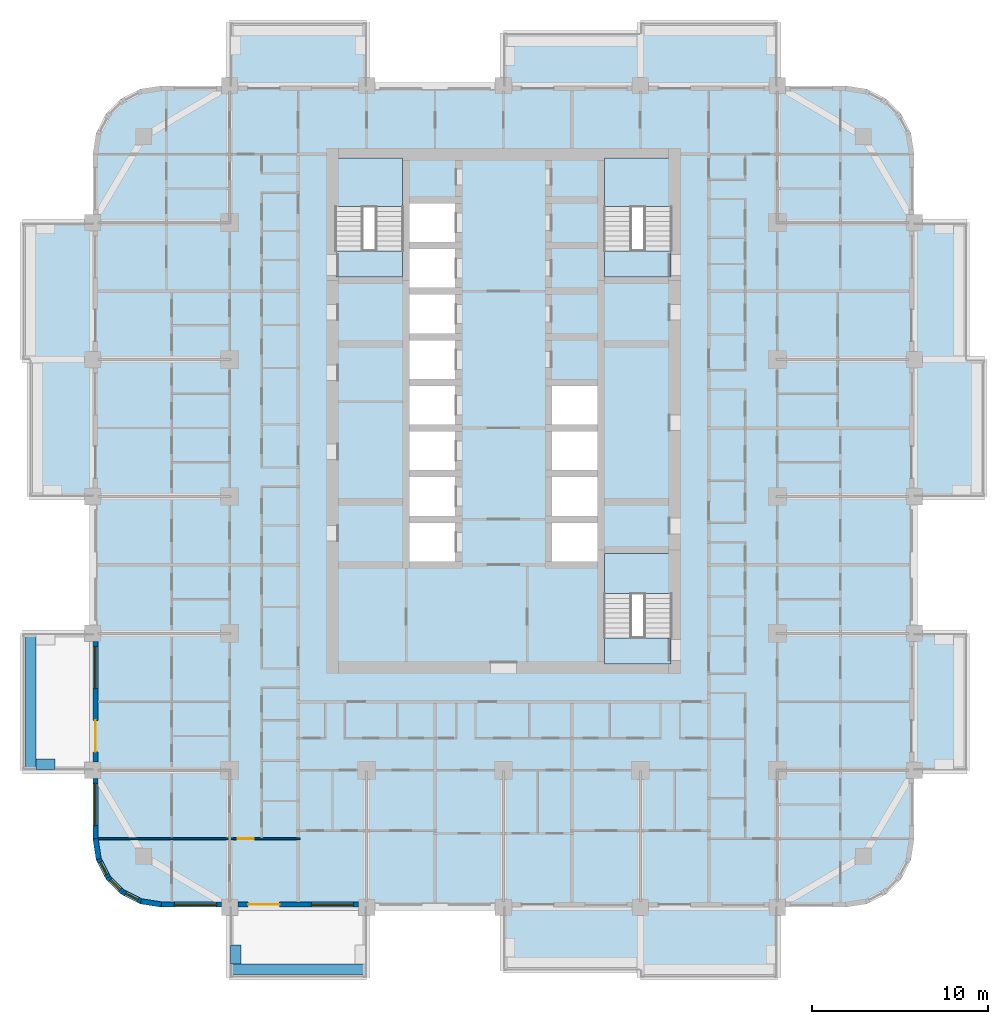
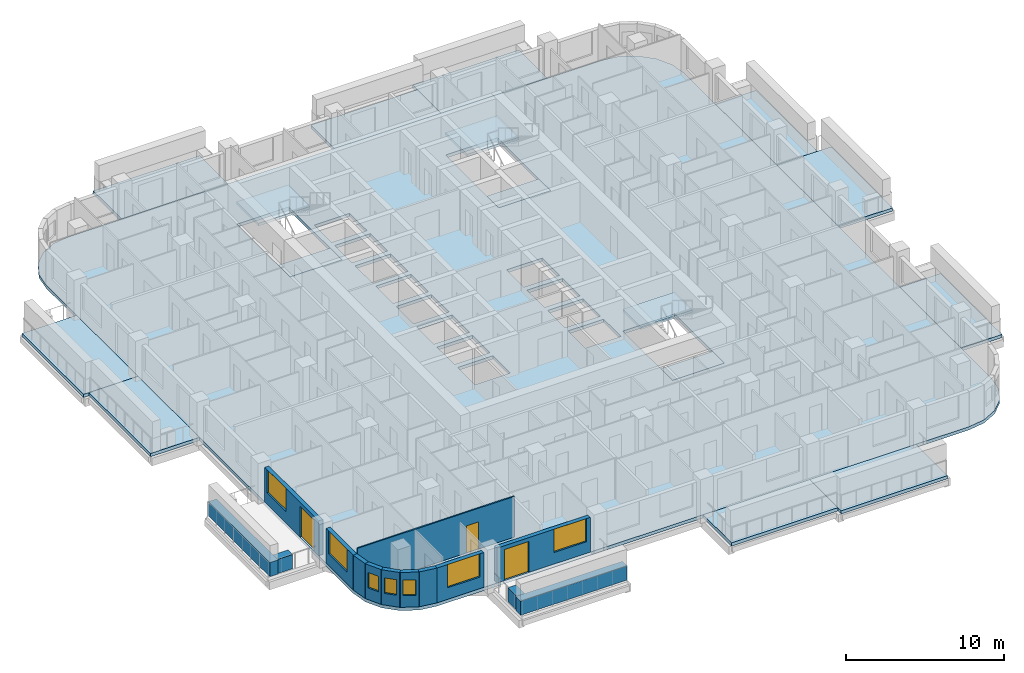
# One storey, part 2 of 18: 17 slabs, 14 walls, 7 windows, 3 doors, 10 openings, 3 elements without a shape of their own.
"""IFC4 building model written with IfcOpenShell, lengths in metres."""

from ifc_helpers import new_model, si_unit, direction, frame, frame_2d, origin, place, context, subcontext, project, spatial, polyline, rectangle, outline, extrude, material, layer, layer_set, type_object, element, fill, aggregate, save


model = new_model("IFC4")

# Units and contexts
model_context = context("Model", 3, precision=1e-05, world=origin(), true_north=direction((0.0, 1.0)))
body_context = subcontext(model_context, "Body", "Model", "MODEL_VIEW")
ifc_project = project(units=[si_unit("LENGTHUNIT", "METRE"), si_unit("AREAUNIT", "SQUARE_METRE"), si_unit("VOLUMEUNIT", "CUBIC_METRE"), si_unit("PLANEANGLEUNIT", "RADIAN"), si_unit("MASSUNIT", "GRAM", prefix="KILO")], contexts=[model_context])

# Site, building, storey
site_placement = place(None, origin())
site = spatial("IfcSite", under=ifc_project, at=site_placement, CompositionType="ELEMENT")
building_placement = place(site_placement, origin())
building = spatial("IfcBuilding", under=site, at=building_placement, Name="Ludao Terraces", CompositionType="ELEMENT")
storey_placement = place(building_placement, frame((0.0, 0.0, 78.39990234375)))
storey = spatial("IfcBuildingStorey", under=building, at=storey_placement, Name="L21", CompositionType="ELEMENT", Elevation=78.39990234375)

# Slabs
ifc_material_1 = material(Name="Concrete C40", Category="concrete")
ifc_layer_1 = layer(ifc_material_1, 0.25)
ifc_layer_set_1 = layer_set([ifc_layer_1], Name="Balcony slab 250 C40")
slab_type_1 = type_object("IfcSlabType", Name="Balcony slab 250 C40", PredefinedType="USERDEFINED", material=ifc_layer_set_1)
slab_1_placement = place(storey_placement, frame((0.0, 0.0, -0.25)))
element("IfcSlab", 1, at=slab_1_placement, inside=storey, type_object=slab_type_1, Name="Balcony L21 S3", ObjectType="BALCONY", PredefinedType="USERDEFINED", context=body_context, shape_type="SweptSolid", body=[
    extrude(outline(polyline([(85.0, 38.0), (92.800048828125, 38.0), (92.800048828125, 41.60009765625), (85.0, 41.60009765625), (85.0, 38.0)])), origin(), (0.0, 0.0, 1.0), 0.25),
])
slab_2_placement = place(storey_placement, frame((0.0, 0.0, -0.25)))
element("IfcSlab", 2, at=slab_2_placement, inside=storey, type_object=slab_type_1, Name="Balcony L21 S4", ObjectType="BALCONY", PredefinedType="USERDEFINED", context=body_context, shape_type="SweptSolid", body=[
    extrude(outline(polyline([(92.800048828125, 37.60009765625), (100.60009765625, 37.60009765625), (100.60009765625, 41.60009765625), (92.800048828125, 41.60009765625), (92.800048828125, 37.60009765625)])), origin(), (0.0, 0.0, 1.0), 0.25),
])
slab_3_placement = place(storey_placement, frame((0.0, 0.0, -0.25)))
element("IfcSlab", 3, at=slab_3_placement, inside=storey, type_object=slab_type_1, Name="Balcony L21 E1", ObjectType="BALCONY", PredefinedType="USERDEFINED", context=body_context, shape_type="SweptSolid", body=[
    extrude(outline(polyline([(108.39990234375, 49.39990234375), (111.39990234375, 49.39990234375), (111.39990234375, 57.199951171875), (108.39990234375, 57.199951171875), (108.39990234375, 49.39990234375)])), origin(), (0.0, 0.0, 1.0), 0.25),
])
slab_4_placement = place(storey_placement, frame((0.0, 0.0, -0.25)))
element("IfcSlab", 4, at=slab_4_placement, inside=storey, type_object=slab_type_1, Name="Balcony L21 E3", ObjectType="BALCONY", PredefinedType="USERDEFINED", context=body_context, shape_type="SweptSolid", body=[
    extrude(outline(polyline([(108.39990234375, 65.0), (112.39990234375, 65.0), (112.39990234375, 72.800048828125), (108.39990234375, 72.800048828125), (108.39990234375, 65.0)])), origin(), (0.0, 0.0, 1.0), 0.25),
])
slab_5_placement = place(storey_placement, frame((0.0, 0.0, -0.25)))
element("IfcSlab", 5, at=slab_5_placement, inside=storey, type_object=slab_type_1, Name="Balcony L21 E4", ObjectType="BALCONY", PredefinedType="USERDEFINED", context=body_context, shape_type="SweptSolid", body=[
    extrude(outline(polyline([(108.39990234375, 72.800048828125), (111.39990234375, 72.800048828125), (111.39990234375, 80.60009765625), (108.39990234375, 80.60009765625), (108.39990234375, 72.800048828125)])), origin(), (0.0, 0.0, 1.0), 0.25),
])
slab_6_placement = place(storey_placement, frame((0.0, 0.0, -0.25)))
element("IfcSlab", 6, at=slab_6_placement, inside=storey, type_object=slab_type_1, Name="Balcony L21 N1", ObjectType="BALCONY", PredefinedType="USERDEFINED", context=body_context, shape_type="SweptSolid", body=[
    extrude(outline(polyline([(69.39990234375, 88.39990234375), (77.199951171875, 88.39990234375), (77.199951171875, 92.0), (69.39990234375, 92.0), (69.39990234375, 88.39990234375)])), origin(), (0.0, 0.0, 1.0), 0.25),
])
slab_7_placement = place(storey_placement, frame((0.0, 0.0, -0.25)))
element("IfcSlab", 7, at=slab_7_placement, inside=storey, type_object=slab_type_1, Name="Balcony L21 N3", ObjectType="BALCONY", PredefinedType="USERDEFINED", context=body_context, shape_type="SweptSolid", body=[
    extrude(outline(polyline([(85.0, 88.39990234375), (92.800048828125, 88.39990234375), (92.800048828125, 91.39990234375), (85.0, 91.39990234375), (85.0, 88.39990234375)])), origin(), (0.0, 0.0, 1.0), 0.25),
])
slab_8_placement = place(storey_placement, frame((0.0, 0.0, -0.25)))
element("IfcSlab", 8, at=slab_8_placement, inside=storey, type_object=slab_type_1, Name="Balcony L21 N4", ObjectType="BALCONY", PredefinedType="USERDEFINED", context=body_context, shape_type="SweptSolid", body=[
    extrude(outline(polyline([(92.800048828125, 88.39990234375), (100.60009765625, 88.39990234375), (100.60009765625, 92.0), (92.800048828125, 92.0), (92.800048828125, 88.39990234375)])), origin(), (0.0, 0.0, 1.0), 0.25),
])
slab_9_placement = place(storey_placement, frame((0.0, 0.0, -0.25)))
element("IfcSlab", 9, at=slab_9_placement, inside=storey, type_object=slab_type_1, Name="Balcony L21 W3", ObjectType="BALCONY", PredefinedType="USERDEFINED", context=body_context, shape_type="SweptSolid", body=[
    extrude(outline(polyline([(58.0, 65.0), (61.60009765625, 65.0), (61.60009765625, 72.800048828125), (58.0, 72.800048828125), (58.0, 65.0)])), origin(), (0.0, 0.0, 1.0), 0.25),
])
slab_10_placement = place(storey_placement, frame((0.0, 0.0, -0.25)))
element("IfcSlab", 10, at=slab_10_placement, inside=storey, type_object=slab_type_1, Name="Balcony L21 W4", ObjectType="BALCONY", PredefinedType="USERDEFINED", context=body_context, shape_type="SweptSolid", body=[
    extrude(outline(polyline([(57.60009765625, 72.800048828125), (61.60009765625, 72.800048828125), (61.60009765625, 80.60009765625), (57.60009765625, 80.60009765625), (57.60009765625, 72.800048828125)])), origin(), (0.0, 0.0, 1.0), 0.25),
])
ifc_layer_2 = layer(ifc_material_1, 0.25)
ifc_layer_set_2 = layer_set([ifc_layer_2], Name="Floor slab 250 C40")
slab_type_2 = type_object("IfcSlabType", Name="Floor slab 250 C40", PredefinedType="FLOOR", material=ifc_layer_set_2)
slab_11_placement = place(storey_placement, frame((0.0, 0.0, -0.25)))
element("IfcSlab", 11, at=slab_11_placement, inside=storey, type_object=slab_type_2, Name="Slab L21", PredefinedType="FLOOR", context=body_context, shape_type="SweptSolid", body=[
    extrude(outline(polyline([(104.5, 41.60009765625), (105.705078125, 41.790771484375), (106.79248046875, 42.3447265625), (107.6552734375, 43.20751953125), (108.209228515625, 44.294921875), (108.39990234375, 45.5), (108.39990234375, 84.5), (108.209228515625, 85.705078125), (107.6552734375, 86.79248046875), (106.79248046875, 87.6552734375), (105.705078125, 88.209228515625), (104.5, 88.39990234375), (65.5, 88.39990234375), (64.294921875, 88.209228515625), (63.20751953125, 87.6552734375), (62.3447265625, 86.79248046875), (61.790771484375, 85.705078125), (61.60009765625, 84.5), (61.60009765625, 45.5), (61.790771484375, 44.294921875), (62.3447265625, 43.20751953125), (63.20751953125, 42.3447265625), (64.294921875, 41.790771484375), (65.5, 41.60009765625), (104.5, 41.60009765625)]), holes=[polyline([(79.64990234375, 61.300048828125), (82.25, 61.300048828125), (82.25, 63.5), (79.64990234375, 63.5), (79.64990234375, 61.300048828125)]), polyline([(79.64990234375, 63.89990234375), (82.25, 63.89990234375), (82.25, 66.10009765625), (79.64990234375, 66.10009765625), (79.64990234375, 63.89990234375)]), polyline([(79.64990234375, 66.5), (82.25, 66.5), (82.25, 68.699951171875), (79.64990234375, 68.699951171875), (79.64990234375, 66.5)]), polyline([(79.64990234375, 69.10009765625), (82.25, 69.10009765625), (82.25, 71.300048828125), (79.64990234375, 71.300048828125), (79.64990234375, 69.10009765625)]), polyline([(79.64990234375, 71.699951171875), (82.25, 71.699951171875), (82.25, 73.89990234375), (79.64990234375, 73.89990234375), (79.64990234375, 71.699951171875)]), polyline([(79.64990234375, 74.300048828125), (82.25, 74.300048828125), (82.25, 76.5), (79.64990234375, 76.5), (79.64990234375, 74.300048828125)]), polyline([(79.64990234375, 76.89990234375), (82.25, 76.89990234375), (82.25, 79.10009765625), (79.64990234375, 79.10009765625), (79.64990234375, 76.89990234375)]), polyline([(79.64990234375, 79.5), (82.25, 79.5), (82.25, 81.699951171875), (79.64990234375, 81.699951171875), (79.64990234375, 79.5)]), polyline([(87.75, 61.300048828125), (90.35009765625, 61.300048828125), (90.35009765625, 63.5), (87.75, 63.5), (87.75, 61.300048828125)]), polyline([(87.75, 63.89990234375), (90.35009765625, 63.89990234375), (90.35009765625, 66.10009765625), (87.75, 66.10009765625), (87.75, 63.89990234375)]), polyline([(87.75, 66.5), (90.35009765625, 66.5), (90.35009765625, 68.699951171875), (87.75, 68.699951171875), (87.75, 66.5)]), polyline([(87.75, 69.10009765625), (90.35009765625, 69.10009765625), (90.35009765625, 71.300048828125), (87.75, 71.300048828125), (87.75, 69.10009765625)]), polyline([(75.449951171875, 77.5), (79.25, 77.5), (79.25, 84.239990234375), (75.449951171875, 84.239990234375), (75.449951171875, 77.5)]), polyline([(90.75, 77.5), (94.550048828125, 77.5), (94.550048828125, 84.239990234375), (90.75, 84.239990234375), (90.75, 77.5)]), polyline([(90.75, 55.449951171875), (94.550048828125, 55.449951171875), (94.550048828125, 61.75), (90.75, 61.75), (90.75, 55.449951171875)])]), origin(), (0.0, 0.0, 1.0), 0.25),
])

# Stair, slabs
stair_type = type_object("IfcStairType", Name="INT Stair", PredefinedType="HALF_TURN_STAIR", material=ifc_material_1)
stair_1_placement = place(storey_placement, origin())
stair_1 = element("IfcStair", 12, at=stair_1_placement, inside=storey, type_object=stair_type, Name="EXIT STAIR 1", PredefinedType="HALF_TURN_STAIR")
ifc_layer_3 = layer(ifc_material_1, 0.199951171875)
ifc_layer_set_3 = layer_set([ifc_layer_3], Name="INT Stair landing 200")
slab_type_3 = type_object("IfcSlabType", Name="INT Stair landing 200", PredefinedType="LANDING", material=ifc_layer_set_3)
slab_12_placement = place(storey_placement, frame((0.0, 0.0, 1.5)))
slab_12 = element("IfcSlab", 13, at=slab_12_placement, type_object=slab_type_3, Name="ST1 landing 1", PredefinedType="LANDING", context=body_context, shape_type="SweptSolid", body=[
    extrude(outline(polyline([(75.449951171875, 81.52001953125), (79.25, 81.52001953125), (79.25, 84.300048828125), (75.449951171875, 84.300048828125), (75.449951171875, 81.52001953125)])), origin(), (0.0, 0.0, 1.0), 0.2001953125),
])
slab_13_placement = place(storey_placement, frame((0.0, 0.0, -0.199951171875)))
slab_13 = element("IfcSlab", 14, at=slab_13_placement, type_object=slab_type_3, Name="ST1 landing 2", PredefinedType="LANDING", context=body_context, shape_type="SweptSolid", body=[
    extrude(outline(polyline([(75.449951171875, 77.5), (79.25, 77.5), (79.25, 79.0), (75.449951171875, 79.0), (75.449951171875, 77.5)])), origin(), (0.0, 0.0, 1.0), 0.199951171875),
])
aggregate(stair_1, [slab_12, slab_13])

stair_2_placement = place(storey_placement, origin())
stair_2 = element("IfcStair", 15, at=stair_2_placement, inside=storey, type_object=stair_type, Name="EXIT STAIR 2", PredefinedType="HALF_TURN_STAIR")
slab_14_placement = place(storey_placement, frame((0.0, 0.0, 1.5)))
slab_14 = element("IfcSlab", 16, at=slab_14_placement, type_object=slab_type_3, Name="ST2 landing 1", PredefinedType="LANDING", context=body_context, shape_type="SweptSolid", body=[
    extrude(outline(polyline([(90.75, 81.52001953125), (94.550048828125, 81.52001953125), (94.550048828125, 84.300048828125), (90.75, 84.300048828125), (90.75, 81.52001953125)])), origin(), (0.0, 0.0, 1.0), 0.2001953125),
])
slab_15_placement = place(storey_placement, frame((0.0, 0.0, -0.199951171875)))
slab_15 = element("IfcSlab", 17, at=slab_15_placement, type_object=slab_type_3, Name="ST2 landing 2", PredefinedType="LANDING", context=body_context, shape_type="SweptSolid", body=[
    extrude(outline(polyline([(90.75, 77.5), (94.550048828125, 77.5), (94.550048828125, 79.0), (90.75, 79.0), (90.75, 77.5)])), origin(), (0.0, 0.0, 1.0), 0.199951171875),
])
aggregate(stair_2, [slab_14, slab_15])

stair_3_placement = place(storey_placement, origin())
stair_3 = element("IfcStair", 18, at=stair_3_placement, inside=storey, type_object=stair_type, Name="EXIT STAIR 3", PredefinedType="HALF_TURN_STAIR")
slab_16_placement = place(storey_placement, frame((0.0, 0.0, 1.5)))
slab_16 = element("IfcSlab", 19, at=slab_16_placement, type_object=slab_type_3, Name="ST3 landing 1", PredefinedType="LANDING", context=body_context, shape_type="SweptSolid", body=[
    extrude(outline(polyline([(90.75, 59.469970703125), (94.550048828125, 59.469970703125), (94.550048828125, 61.75), (90.75, 61.75), (90.75, 59.469970703125)])), origin(), (0.0, 0.0, 1.0), 0.2001953125),
])
slab_17_placement = place(storey_placement, frame((0.0, 0.0, -0.199951171875)))
slab_17 = element("IfcSlab", 20, at=slab_17_placement, type_object=slab_type_3, Name="ST3 landing 2", PredefinedType="LANDING", context=body_context, shape_type="SweptSolid", body=[
    extrude(outline(polyline([(90.75, 55.449951171875), (94.550048828125, 55.449951171875), (94.550048828125, 56.949951171875), (90.75, 56.949951171875), (90.75, 55.449951171875)])), origin(), (0.0, 0.0, 1.0), 0.199951171875),
])
aggregate(stair_3, [slab_16, slab_17])

# Walls
ifc_layer_4 = layer(ifc_material_1, 0.60009765625)
ifc_layer_set_4 = layer_set([ifc_layer_4], Name="ENV Planter trough 600")
wall_type_1 = type_object("IfcWallType", Name="ENV Planter trough 600", PredefinedType="USERDEFINED", material=ifc_layer_set_4)
wall_1_placement = place(storey_placement, frame((69.39990234375, 38.050048828125, 0.0), z_axis=(0.0, 0.0, 1.0), x_axis=(1.0, 0.0, 0.0)))
element("IfcWall", 21, at=wall_1_placement, inside=storey, type_object=wall_type_1, Name="PL-L21-S1", ObjectType="PLANTER", PredefinedType="USERDEFINED", context=body_context, shape_type="SweptSolid", body=[
    extrude(rectangle(XDim=7.800048828125, YDim=0.60009765625, at=frame_2d((3.89990234375, 0.0))), origin(), (0.0, 0.0, 1.0), 1.10009765625),
])
wall_2_placement = place(storey_placement, frame((69.75, 38.35009765625, 0.0), z_axis=(0.0, 0.0, 1.0), x_axis=(0.0, 1.0, 0.0)))
element("IfcWall", 22, at=wall_2_placement, inside=storey, type_object=wall_type_1, Name="PL-L21-S1-SA", ObjectType="PLANTER", PredefinedType="USERDEFINED", context=body_context, shape_type="SweptSolid", body=[
    extrude(rectangle(XDim=1.099853515625, YDim=0.60009765625, at=frame_2d((0.5498046875, 0.0))), origin(), (0.0, 0.0, 1.0), 1.10009765625),
])
wall_3_placement = place(storey_placement, frame((58.050048828125, 49.39990234375, 0.0), z_axis=(0.0, 0.0, 1.0), x_axis=(0.0, 1.0, 0.0)))
element("IfcWall", 23, at=wall_3_placement, inside=storey, type_object=wall_type_1, Name="PL-L21-W1", ObjectType="PLANTER", PredefinedType="USERDEFINED", context=body_context, shape_type="SweptSolid", body=[
    extrude(rectangle(XDim=7.800048828125, YDim=0.60009765625, at=frame_2d((3.89990234375, 0.0))), origin(), (0.0, 0.0, 1.0), 1.10009765625),
])
wall_4_placement = place(storey_placement, frame((58.35009765625, 49.75, 0.0), z_axis=(0.0, 0.0, 1.0), x_axis=(1.0, 0.0, 0.0)))
element("IfcWall", 24, at=wall_4_placement, inside=storey, type_object=wall_type_1, Name="PL-L21-W1-SA", ObjectType="PLANTER", PredefinedType="USERDEFINED", context=body_context, shape_type="SweptSolid", body=[
    extrude(rectangle(XDim=1.099853515625, YDim=0.60009765625, at=frame_2d((0.5498046875, 0.0))), origin(), (0.0, 0.0, 1.0), 1.10009765625),
])

# Wall, opening, window
ifc_material_2 = material(Name="Granite cladding", Category="masonry")
ifc_layer_5 = layer(ifc_material_2, 0.0400390625, Category="stone")
ifc_material_3 = material(Name="Mineral wool")
ifc_layer_6 = layer(ifc_material_3, 0.06005859375)
ifc_layer_7 = layer(ifc_material_1, 0.199951171875, Category="concrete")
ifc_layer_set_5 = layer_set([ifc_layer_5, ifc_layer_6, ifc_layer_7], Name="ENV Stone-clad wall 300")
wall_type_2 = type_object("IfcWallType", Name="ENV Stone-clad wall 300", PredefinedType="SOLIDWALL", material=ifc_layer_set_5)
wall_5_placement = place(storey_placement, frame((65.5, 41.75, 0.0), z_axis=(0.0, 0.0, 1.0), x_axis=(1.0, 0.0, 0.0)))
wall_5 = element("IfcWall", 25, at=wall_5_placement, inside=storey, type_object=wall_type_2, Name="EW-L21-S1", PredefinedType="SOLIDWALL", context=body_context, shape_type="SweptSolid", body=[
    extrude(rectangle(XDim=3.425048828125, YDim=0.300048828125, at=frame_2d((1.71240234375, 0.0))), origin(), (0.0, 0.0, 1.0), 2.7001953125),
])
opening_1_placement = place(wall_5_placement, frame((0.75, 0.0, 0.89990234375)))
opening_1 = element("IfcOpeningElement", 26, at=opening_1_placement, cuts=wall_5, Name="Opening W1", PredefinedType="OPENING", context=body_context, shape_type="SweptSolid", body=[
    extrude(rectangle(XDim=2.39990234375, YDim=1.800048828125, at=frame_2d((1.199951171875, 0.89990234375))), frame((0.0, 0.16015625, 0.0), z_axis=(0.0, -1.0, 0.0), x_axis=(1.0, 0.0, 0.0)), (0.0, 0.0, 1.0), 0.320068359375),
])
ifc_material_4 = material(Name="Clear glass in aluminium frame", Category="aluminium")
ifc_layer_8 = layer(ifc_material_4, 0.06005859375)
ifc_layer_set_6 = layer_set([ifc_layer_8], Name="ENV Window W1 2400x1800")
window_type_1 = type_object("IfcWindowType", Name="ENV Window W1 2400x1800", PartitioningType="DOUBLE_PANEL_VERTICAL", PredefinedType="WINDOW", material=ifc_layer_set_6)
window_1_placement = place(opening_1_placement, origin())
window_1 = element("IfcWindow", 27, at=window_1_placement, inside=storey, type_object=window_type_1, Name="W-L21-S1-1", OverallHeight=1.800048828125, OverallWidth=2.39990234375, PartitioningType="DOUBLE_PANEL_VERTICAL", PredefinedType="WINDOW", context=body_context, shape_type="SweptSolid", body=[
    extrude(rectangle(XDim=2.39990234375, YDim=1.800048828125, at=frame_2d((1.199951171875, 0.89990234375))), frame((0.0, 0.030029296875, 0.0), z_axis=(0.0, -1.0, 0.0), x_axis=(1.0, 0.0, 0.0)), (0.0, 0.0, 1.0), 0.06005859375),
])
fill(opening_1, window_1)

# Wall, openings, door, window
wall_6_placement = place(storey_placement, frame((69.875, 41.75, 0.0), z_axis=(0.0, 0.0, 1.0), x_axis=(1.0, 0.0, 0.0)))
wall_6 = element("IfcWall", 28, at=wall_6_placement, inside=storey, type_object=wall_type_2, Name="EW-L21-S2", PredefinedType="SOLIDWALL", context=body_context, shape_type="SweptSolid", body=[
    extrude(rectangle(XDim=6.85009765625, YDim=0.300048828125, at=frame_2d((3.425048828125, 0.0))), origin(), (0.0, 0.0, 1.0), 2.7001953125),
])
opening_2_placement = place(wall_6_placement, frame((0.574951171875, 0.0, 0.0)))
opening_2 = element("IfcOpeningElement", 29, at=opening_2_placement, cuts=wall_6, Name="Opening BD", PredefinedType="OPENING", context=body_context, shape_type="SweptSolid", body=[
    extrude(rectangle(XDim=1.800048828125, YDim=2.39990234375, at=frame_2d((0.89990234375, 1.199951171875))), frame((0.0, 0.16015625, 0.0), z_axis=(0.0, -1.0, 0.0), x_axis=(1.0, 0.0, 0.0)), (0.0, 0.0, 1.0), 0.320068359375),
])
opening_3_placement = place(wall_6_placement, frame((4.175048828125, 0.0, 0.89990234375)))
opening_3 = element("IfcOpeningElement", 30, at=opening_3_placement, cuts=wall_6, Name="Opening W1", PredefinedType="OPENING", context=body_context, shape_type="SweptSolid", body=[
    extrude(rectangle(XDim=2.39990234375, YDim=1.800048828125, at=frame_2d((1.199951171875, 0.89990234375))), frame((0.0, 0.16015625, 0.0), z_axis=(0.0, -1.0, 0.0), x_axis=(1.0, 0.0, 0.0)), (0.0, 0.0, 1.0), 0.320068359375),
])
ifc_material_5 = material(Name="Aluminium glazed door", Category="aluminium")
ifc_layer_9 = layer(ifc_material_5, 0.06005859375)
ifc_layer_set_7 = layer_set([ifc_layer_9], Name="ENV Balcony door BD 1800x2400")
door_type_1 = type_object("IfcDoorType", Name="ENV Balcony door BD 1800x2400", OperationType="DOUBLE_DOOR_SINGLE_SWING", PredefinedType="DOOR", material=ifc_layer_set_7)
door_1_placement = place(opening_2_placement, origin())
door_1 = element("IfcDoor", 31, at=door_1_placement, inside=storey, type_object=door_type_1, Name="BD-L21-S2-1", OperationType="DOUBLE_DOOR_SINGLE_SWING", OverallHeight=2.39990234375, OverallWidth=1.800048828125, PredefinedType="DOOR", context=body_context, shape_type="SweptSolid", body=[
    extrude(rectangle(XDim=1.800048828125, YDim=2.39990234375, at=frame_2d((0.89990234375, 1.199951171875))), frame((0.0, 0.02490234375, 0.0), z_axis=(0.0, -1.0, 0.0), x_axis=(1.0, 0.0, 0.0)), (0.0, 0.0, 1.0), 0.050048828125),
])
fill(opening_2, door_1)
window_2_placement = place(opening_3_placement, origin())
window_2 = element("IfcWindow", 32, at=window_2_placement, inside=storey, type_object=window_type_1, Name="W-L21-S2-2", OverallHeight=1.800048828125, OverallWidth=2.39990234375, PartitioningType="DOUBLE_PANEL_VERTICAL", PredefinedType="WINDOW", context=body_context, shape_type="SweptSolid", body=[
    extrude(rectangle(XDim=2.39990234375, YDim=1.800048828125, at=frame_2d((1.199951171875, 0.89990234375))), frame((0.0, 0.030029296875, 0.0), z_axis=(0.0, -1.0, 0.0), x_axis=(1.0, 0.0, 0.0)), (0.0, 0.0, 1.0), 0.06005859375),
])
fill(opening_3, window_2)

# Wall, opening, window
wall_7_placement = place(storey_placement, frame((61.75, 45.5, 0.0), z_axis=(0.0, 0.0, 1.0), x_axis=(0.0, 1.0, 0.0)))
wall_7 = element("IfcWall", 33, at=wall_7_placement, inside=storey, type_object=wall_type_2, Name="EW-L21-W1", PredefinedType="SOLIDWALL", context=body_context, shape_type="SweptSolid", body=[
    extrude(rectangle(XDim=3.425048828125, YDim=0.300048828125, at=frame_2d((1.71240234375, 0.0))), origin(), (0.0, 0.0, 1.0), 2.7001953125),
])
opening_4_placement = place(wall_7_placement, frame((0.75, 0.0, 0.89990234375)))
opening_4 = element("IfcOpeningElement", 34, at=opening_4_placement, cuts=wall_7, Name="Opening W1", PredefinedType="OPENING", context=body_context, shape_type="SweptSolid", body=[
    extrude(rectangle(XDim=2.39990234375, YDim=1.800048828125, at=frame_2d((1.199951171875, 0.89990234375))), frame((0.0, 0.16015625, 0.0), z_axis=(0.0, -1.0, 0.0), x_axis=(1.0, 0.0, 0.0)), (0.0, 0.0, 1.0), 0.320068359375),
])
window_3_placement = place(opening_4_placement, origin())
window_3 = element("IfcWindow", 35, at=window_3_placement, inside=storey, type_object=window_type_1, Name="W-L21-W1-1", OverallHeight=1.800048828125, OverallWidth=2.39990234375, PartitioningType="DOUBLE_PANEL_VERTICAL", PredefinedType="WINDOW", context=body_context, shape_type="SweptSolid", body=[
    extrude(rectangle(XDim=2.39990234375, YDim=1.800048828125, at=frame_2d((1.199951171875, 0.89990234375))), frame((0.0, 0.030029296875, 0.0), z_axis=(0.0, -1.0, 0.0), x_axis=(1.0, 0.0, 0.0)), (0.0, 0.0, 1.0), 0.06005859375),
])
fill(opening_4, window_3)

# Wall, openings, door, window
wall_8_placement = place(storey_placement, frame((61.75, 49.875, 0.0), z_axis=(0.0, 0.0, 1.0), x_axis=(0.0, 1.0, 0.0)))
wall_8 = element("IfcWall", 36, at=wall_8_placement, inside=storey, type_object=wall_type_2, Name="EW-L21-W2", PredefinedType="SOLIDWALL", context=body_context, shape_type="SweptSolid", body=[
    extrude(rectangle(XDim=6.85009765625, YDim=0.300048828125, at=frame_2d((3.425048828125, 0.0))), origin(), (0.0, 0.0, 1.0), 2.7001953125),
])
opening_5_placement = place(wall_8_placement, frame((0.574951171875, 0.0, 0.0)))
opening_5 = element("IfcOpeningElement", 37, at=opening_5_placement, cuts=wall_8, Name="Opening BD", PredefinedType="OPENING", context=body_context, shape_type="SweptSolid", body=[
    extrude(rectangle(XDim=1.800048828125, YDim=2.39990234375, at=frame_2d((0.89990234375, 1.199951171875))), frame((0.0, 0.16015625, 0.0), z_axis=(0.0, -1.0, 0.0), x_axis=(1.0, 0.0, 0.0)), (0.0, 0.0, 1.0), 0.320068359375),
])
opening_6_placement = place(wall_8_placement, frame((4.175048828125, 0.0, 0.89990234375)))
opening_6 = element("IfcOpeningElement", 38, at=opening_6_placement, cuts=wall_8, Name="Opening W1", PredefinedType="OPENING", context=body_context, shape_type="SweptSolid", body=[
    extrude(rectangle(XDim=2.39990234375, YDim=1.800048828125, at=frame_2d((1.199951171875, 0.89990234375))), frame((0.0, 0.16015625, 0.0), z_axis=(0.0, -1.0, 0.0), x_axis=(1.0, 0.0, 0.0)), (0.0, 0.0, 1.0), 0.320068359375),
])
door_2_placement = place(opening_5_placement, origin())
door_2 = element("IfcDoor", 39, at=door_2_placement, inside=storey, type_object=door_type_1, Name="BD-L21-W2-1", OperationType="DOUBLE_DOOR_SINGLE_SWING", OverallHeight=2.39990234375, OverallWidth=1.800048828125, PredefinedType="DOOR", context=body_context, shape_type="SweptSolid", body=[
    extrude(rectangle(XDim=1.800048828125, YDim=2.39990234375, at=frame_2d((0.89990234375, 1.199951171875))), frame((0.0, 0.02490234375, 0.0), z_axis=(0.0, -1.0, 0.0), x_axis=(1.0, 0.0, 0.0)), (0.0, 0.0, 1.0), 0.050048828125),
])
fill(opening_5, door_2)
window_4_placement = place(opening_6_placement, origin())
window_4 = element("IfcWindow", 40, at=window_4_placement, inside=storey, type_object=window_type_1, Name="W-L21-W2-2", OverallHeight=1.800048828125, OverallWidth=2.39990234375, PartitioningType="DOUBLE_PANEL_VERTICAL", PredefinedType="WINDOW", context=body_context, shape_type="SweptSolid", body=[
    extrude(rectangle(XDim=2.39990234375, YDim=1.800048828125, at=frame_2d((1.199951171875, 0.89990234375))), frame((0.0, 0.030029296875, 0.0), z_axis=(0.0, -1.0, 0.0), x_axis=(1.0, 0.0, 0.0)), (0.0, 0.0, 1.0), 0.06005859375),
])
fill(opening_6, window_4)

# Wall
wall_9_placement = place(storey_placement, frame((61.75, 45.5, 0.0), z_axis=(0.0, 0.0, 1.0), x_axis=(0.156496880861, -0.987678452879, 0.0)))
element("IfcWall", 41, at=wall_9_placement, inside=storey, type_object=wall_type_2, Name="EW-L21-SW1", PredefinedType="SOLIDWALL", context=body_context, shape_type="SweptSolid", body=[
    extrude(rectangle(XDim=1.173095703125, YDim=0.300048828125, at=frame_2d((0.58642578125, 0.0))), origin(), (0.0, 0.0, 1.0), 2.7001953125),
])

# Wall, opening, window
wall_10_placement = place(storey_placement, frame((61.93359375, 44.34130859375, 0.0), z_axis=(0.0, 0.0, 1.0), x_axis=(0.454025524128, -0.890988677504, 0.0)))
wall_10 = element("IfcWall", 42, at=wall_10_placement, inside=storey, type_object=wall_type_2, Name="EW-L21-SW2", PredefinedType="SOLIDWALL", context=body_context, shape_type="SweptSolid", body=[
    extrude(rectangle(XDim=1.17333984375, YDim=0.300048828125, at=frame_2d((0.586669921875, 0.0))), origin(), (0.0, 0.0, 1.0), 2.7001953125),
])
opening_7_placement = place(wall_10_placement, frame((0.1865234375, 0.0, 0.89990234375)))
opening_7 = element("IfcOpeningElement", 43, at=opening_7_placement, cuts=wall_10, Name="Opening W3", PredefinedType="OPENING", context=body_context, shape_type="SweptSolid", body=[
    extrude(rectangle(XDim=0.800048828125, YDim=1.199951171875, at=frame_2d((0.39990234375, 0.60009765625))), frame((0.0, 0.16015625, 0.0), z_axis=(0.0, -1.0, 0.0), x_axis=(1.0, 0.0, 0.0)), (0.0, 0.0, 1.0), 0.320068359375),
])
ifc_layer_10 = layer(ifc_material_4, 0.06005859375)
ifc_layer_set_8 = layer_set([ifc_layer_10], Name="ENV Window W3 800x1200")
window_type_2 = type_object("IfcWindowType", Name="ENV Window W3 800x1200", PartitioningType="SINGLE_PANEL", PredefinedType="WINDOW", material=ifc_layer_set_8)
window_5_placement = place(opening_7_placement, origin())
window_5 = element("IfcWindow", 44, at=window_5_placement, inside=storey, type_object=window_type_2, Name="W-L21-SW2", OverallHeight=1.199951171875, OverallWidth=0.800048828125, PartitioningType="SINGLE_PANEL", PredefinedType="WINDOW", context=body_context, shape_type="SweptSolid", body=[
    extrude(rectangle(XDim=0.800048828125, YDim=1.199951171875, at=frame_2d((0.39990234375, 0.60009765625))), frame((0.0, 0.030029296875, 0.0), z_axis=(0.0, -1.0, 0.0), x_axis=(1.0, 0.0, 0.0)), (0.0, 0.0, 1.0), 0.06005859375),
])
fill(opening_7, window_5)

wall_11_placement = place(storey_placement, frame((62.46630859375, 43.2958984375, 0.0), z_axis=(0.0, 0.0, 1.0), x_axis=(0.707106781187, -0.707106781187, 0.0)))
wall_11 = element("IfcWall", 45, at=wall_11_placement, inside=storey, type_object=wall_type_2, Name="EW-L21-SW3", PredefinedType="SOLIDWALL", context=body_context, shape_type="SweptSolid", body=[
    extrude(rectangle(XDim=1.173095703125, YDim=0.300048828125, at=frame_2d((0.58642578125, 0.0))), origin(), (0.0, 0.0, 1.0), 2.7001953125),
])
opening_8_placement = place(wall_11_placement, frame((0.1865234375, 0.0, 0.89990234375)))
opening_8 = element("IfcOpeningElement", 46, at=opening_8_placement, cuts=wall_11, Name="Opening W3", PredefinedType="OPENING", context=body_context, shape_type="SweptSolid", body=[
    extrude(rectangle(XDim=0.800048828125, YDim=1.199951171875, at=frame_2d((0.39990234375, 0.60009765625))), frame((0.0, 0.16015625, 0.0), z_axis=(0.0, -1.0, 0.0), x_axis=(1.0, 0.0, 0.0)), (0.0, 0.0, 1.0), 0.320068359375),
])
window_6_placement = place(opening_8_placement, origin())
window_6 = element("IfcWindow", 47, at=window_6_placement, inside=storey, type_object=window_type_2, Name="W-L21-SW3", OverallHeight=1.199951171875, OverallWidth=0.800048828125, PartitioningType="SINGLE_PANEL", PredefinedType="WINDOW", context=body_context, shape_type="SweptSolid", body=[
    extrude(rectangle(XDim=0.800048828125, YDim=1.199951171875, at=frame_2d((0.39990234375, 0.60009765625))), frame((0.0, 0.030029296875, 0.0), z_axis=(0.0, -1.0, 0.0), x_axis=(1.0, 0.0, 0.0)), (0.0, 0.0, 1.0), 0.06005859375),
])
fill(opening_8, window_6)

wall_12_placement = place(storey_placement, frame((63.2958984375, 42.46630859375, 0.0), z_axis=(0.0, 0.0, 1.0), x_axis=(0.890988677504, -0.454025524128, 0.0)))
wall_12 = element("IfcWall", 48, at=wall_12_placement, inside=storey, type_object=wall_type_2, Name="EW-L21-SW4", PredefinedType="SOLIDWALL", context=body_context, shape_type="SweptSolid", body=[
    extrude(rectangle(XDim=1.17333984375, YDim=0.300048828125, at=frame_2d((0.586669921875, 0.0))), origin(), (0.0, 0.0, 1.0), 2.7001953125),
])
opening_9_placement = place(wall_12_placement, frame((0.1865234375, 0.0, 0.89990234375)))
opening_9 = element("IfcOpeningElement", 49, at=opening_9_placement, cuts=wall_12, Name="Opening W3", PredefinedType="OPENING", context=body_context, shape_type="SweptSolid", body=[
    extrude(rectangle(XDim=0.800048828125, YDim=1.199951171875, at=frame_2d((0.39990234375, 0.60009765625))), frame((0.0, 0.16015625, 0.0), z_axis=(0.0, -1.0, 0.0), x_axis=(1.0, 0.0, 0.0)), (0.0, 0.0, 1.0), 0.320068359375),
])
window_7_placement = place(opening_9_placement, origin())
window_7 = element("IfcWindow", 50, at=window_7_placement, inside=storey, type_object=window_type_2, Name="W-L21-SW4", OverallHeight=1.199951171875, OverallWidth=0.800048828125, PartitioningType="SINGLE_PANEL", PredefinedType="WINDOW", context=body_context, shape_type="SweptSolid", body=[
    extrude(rectangle(XDim=0.800048828125, YDim=1.199951171875, at=frame_2d((0.39990234375, 0.60009765625))), frame((0.0, 0.030029296875, 0.0), z_axis=(0.0, -1.0, 0.0), x_axis=(1.0, 0.0, 0.0)), (0.0, 0.0, 1.0), 0.06005859375),
])
fill(opening_9, window_7)

# Wall
wall_13_placement = place(storey_placement, frame((64.34130859375, 41.93359375, 0.0), z_axis=(0.0, 0.0, 1.0), x_axis=(0.987678452879, -0.156496880861, 0.0)))
element("IfcWall", 51, at=wall_13_placement, inside=storey, type_object=wall_type_2, Name="EW-L21-SW5", PredefinedType="SOLIDWALL", context=body_context, shape_type="SweptSolid", body=[
    extrude(rectangle(XDim=1.173095703125, YDim=0.300048828125, at=frame_2d((0.58642578125, 0.0))), origin(), (0.0, 0.0, 1.0), 2.7001953125),
])

# Wall, opening, door
ifc_material_6 = material(Name="Gypsum plasterboard", Category="gypsum")
ifc_layer_11 = layer(ifc_material_6, 0.012451171875, Category="gypsum")
ifc_layer_12 = layer(ifc_material_3, 0.06005859375, Name="insulation")
ifc_material_7 = material(Name="Steel Q235", Category="steel")
ifc_layer_13 = layer(ifc_material_7, 0.014892578125, Name="stud")
ifc_layer_14 = layer(ifc_material_6, 0.012451171875, Category="gypsum")
ifc_layer_set_9 = layer_set([ifc_layer_11, ifc_layer_12, ifc_layer_13, ifc_layer_14], Name="INT Partition 100")
wall_type_3 = type_object("IfcWallType", Name="INT Partition 100", PredefinedType="PARTITIONING", material=ifc_layer_set_9)
wall_14_placement = place(storey_placement, frame((61.900146484375, 45.5, 0.0), z_axis=(0.0, 0.0, 1.0), x_axis=(1.0, 0.0, 0.0)))
wall_14 = element("IfcWall", 52, at=wall_14_placement, inside=storey, type_object=wall_type_3, Name="PW-L21-PW000", PredefinedType="PARTITIONING", context=body_context, shape_type="SweptSolid", body=[
    extrude(rectangle(XDim=11.5, YDim=0.10009765625, at=frame_2d((5.75, 0.0))), origin(), (0.0, 0.0, 1.0), 3.150146484375),
])
opening_10_placement = place(wall_14_placement, frame((7.965087890625, 0.0, 0.0)))
opening_10 = element("IfcOpeningElement", 53, at=opening_10_placement, cuts=wall_14, Name="Opening R06-005", PredefinedType="OPENING", context=body_context, shape_type="SweptSolid", body=[
    extrude(rectangle(XDim=0.89990234375, YDim=2.10009765625, at=frame_2d((0.449951171875, 1.050048828125))), frame((0.0, 0.06005859375, 0.0), z_axis=(0.0, -1.0, 0.0), x_axis=(1.0, 0.0, 0.0)), (0.0, 0.0, 1.0), 0.1201171875),
])
ifc_material_8 = material(Name="Timber door leaf", Category="wood")
door_type_2 = type_object("IfcDoorType", Name="INT Room door 900", OperationType="SINGLE_SWING_LEFT", PredefinedType="DOOR", material=ifc_material_8)
door_3_placement = place(opening_10_placement, origin())
door_3 = element("IfcDoor", 54, at=door_3_placement, inside=storey, type_object=door_type_2, Name="DOOR 005", OperationType="SINGLE_SWING_LEFT", OverallHeight=2.10009765625, OverallWidth=0.89990234375, PredefinedType="DOOR", context=body_context, shape_type="SweptSolid", body=[
    extrude(rectangle(XDim=0.89990234375, YDim=2.10009765625, at=frame_2d((0.449951171875, 1.050048828125))), frame((0.0, 0.02490234375, 0.0), z_axis=(0.0, -1.0, 0.0), x_axis=(1.0, 0.0, 0.0)), (0.0, 0.0, 1.0), 0.050048828125),
])
fill(opening_10, door_3)

save(model, "model.ifc")
